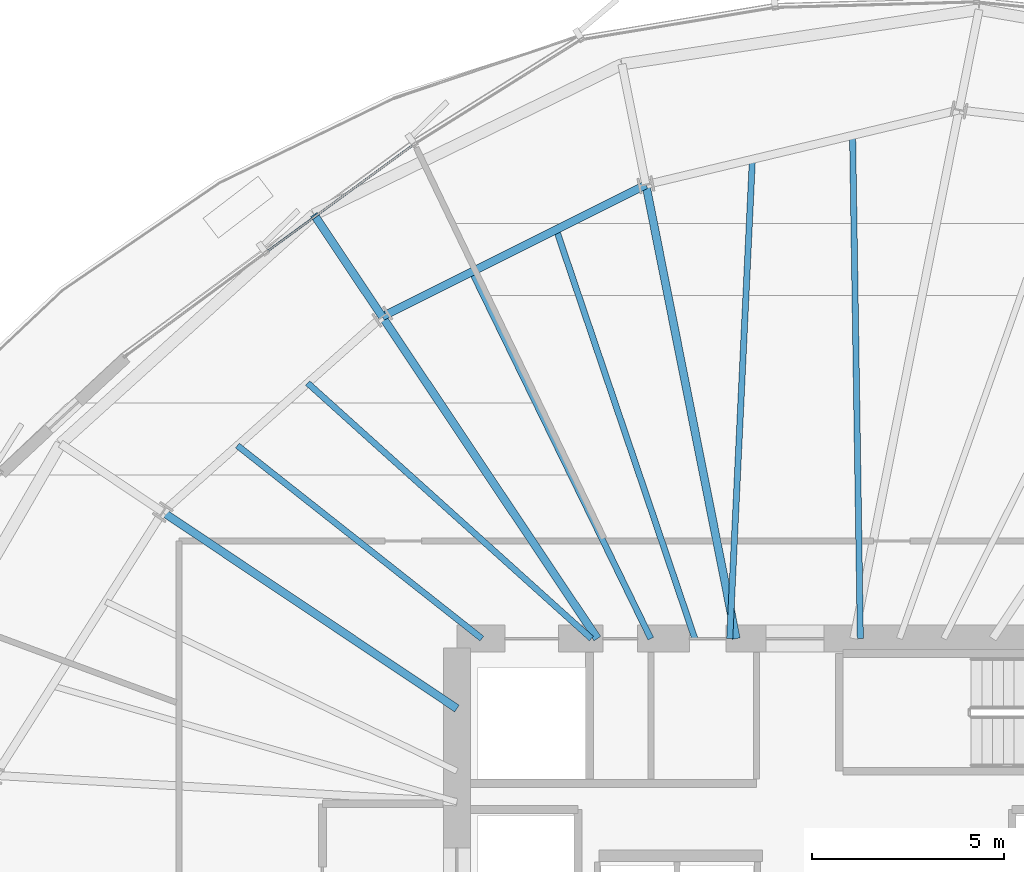
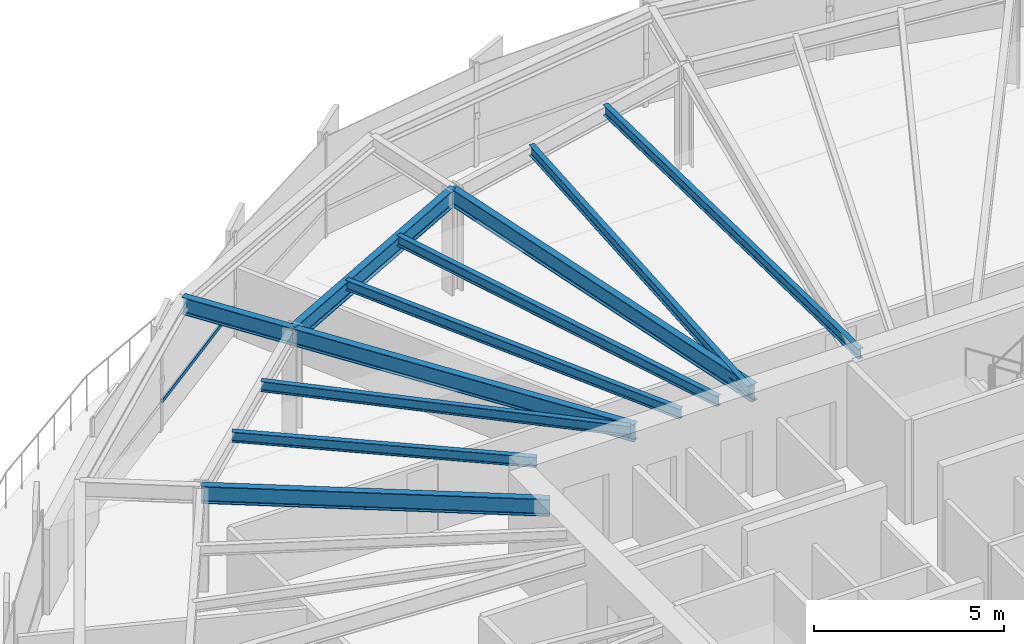
# One storey, part 20 of 35: 11 beams, 1 member, 1 element without a shape of its own.
"""IFC4 building model written with IfcOpenShell, lengths in metres."""

from ifc_helpers import new_model, si_unit, direction, frame, origin, origin_2d, place, context, subcontext, project, spatial, hollow_rectangle, i_section, extrude, source, transform, mapped, material, layer, layer_set, material_profile, profile_set, type_object, element, aggregate, save


model = new_model("IFC4")

# Units and contexts
model_context = context("Model", 3, precision=1e-05, world=origin(), true_north=direction((0.0, 1.0)))
body_context = subcontext(model_context, "Body", "Model", "MODEL_VIEW")
ifc_project = project(units=[si_unit("LENGTHUNIT", "METRE"), si_unit("AREAUNIT", "SQUARE_METRE"), si_unit("VOLUMEUNIT", "CUBIC_METRE"), si_unit("PLANEANGLEUNIT", "RADIAN"), si_unit("MASSUNIT", "GRAM", prefix="KILO"), si_unit("THERMODYNAMICTEMPERATUREUNIT", "KELVIN")], contexts=[model_context])

# Site, building, storey
site_placement = place(None, origin())
site = spatial("IfcSite", under=ifc_project, at=site_placement, CompositionType="ELEMENT")
building_placement = place(site_placement, origin())
building = spatial("IfcBuilding", under=site, at=building_placement, Name="Kethvar Cultural Tower", CompositionType="ELEMENT")
storey_placement = place(building_placement, frame((0.0, 0.0, 89.199951171875)))
storey = spatial("IfcBuildingStorey", under=building, at=storey_placement, Name="L21", CompositionType="ELEMENT", Elevation=89.199951171875)

# Beams
ifc_material_1 = material(Name="Steel S355J2", Category="steel")
ifc_material_profile_1 = material_profile(ifc_material_1, i_section(OverallWidth=0.2099609375, OverallDepth=0.550048828125, WebThickness=0.010986328125, FlangeThickness=0.01708984375, FilletRadius=0.02392578125, at=origin_2d()), Name="Steel S355J2 — IPE550")
ifc_profile_set_1 = profile_set([ifc_material_profile_1], Name="Steel S355J2 — IPE550")
beam_type_1 = type_object("IfcBeamType", Name="BM-IPE550", PredefinedType="BEAM", material=ifc_profile_set_1)
shared_shape_1 = source(origin(), body_context, "Body", "SweptSolid", [
    extrude(i_section(OverallWidth=0.2099609375, OverallDepth=0.550048828125, WebThickness=0.010986328125, FlangeThickness=0.01708984375, FilletRadius=0.02392578125, at=origin_2d()), origin(), (0.0, 0.0, 1.0), 3.2001953125),
])
beam_1_placement = place(storey_placement, frame((36.0576171875, 43.877197265625, 3.072998046875), z_axis=(-0.555544970406, 0.831486491686, 0.0), x_axis=(-0.831486491686, -0.555544970406, 0.0)))
element("IfcBeam", 1, at=beam_1_placement, inside=storey, type_object=beam_type_1, Name="L21 Perimeter Cantilever Beam RC-06", PredefinedType="BEAM", context=body_context, shape_type="MappedRepresentation", body=[
    mapped(shared_shape_1, transform((0.0, 0.0, 0.0), scale=1.0)),
])
shared_shape_2 = source(origin(), body_context, "Body", "SweptSolid", [
    extrude(i_section(OverallWidth=0.2099609375, OverallDepth=0.550048828125, WebThickness=0.010986328125, FlangeThickness=0.01708984375, FilletRadius=0.02392578125, at=origin_2d()), origin(), (0.0, 0.0, 1.0), 12.042724609375),
])
beam_2_placement = place(storey_placement, frame((45.268310546875, 35.5, 3.072998046875), z_axis=(-0.195086784047, 0.980785984142, 0.0), x_axis=(-0.980785984142, -0.195086784047, 0.0)))
element("IfcBeam", 2, at=beam_2_placement, inside=storey, type_object=beam_type_1, Name="L21 Primary Radial Beam RB-05", PredefinedType="BEAM", context=body_context, shape_type="MappedRepresentation", body=[
    mapped(shared_shape_2, transform((0.0, 0.0, 0.0), scale=1.0)),
])
shared_shape_3 = source(origin(), body_context, "Body", "SweptSolid", [
    extrude(i_section(OverallWidth=0.2099609375, OverallDepth=0.550048828125, WebThickness=0.010986328125, FlangeThickness=0.01708984375, FilletRadius=0.02392578125, at=origin_2d()), origin(), (0.0, 0.0, 1.0), 10.0751953125),
])
beam_3_placement = place(storey_placement, frame((41.655029296875, 35.5, 3.072998046875), z_axis=(-0.555566654614, 0.831472003305, 0.0), x_axis=(-0.831472003305, -0.555566654614, 0.0)))
element("IfcBeam", 3, at=beam_3_placement, inside=storey, type_object=beam_type_1, Name="L21 Primary Radial Beam RB-06", PredefinedType="BEAM", context=body_context, shape_type="MappedRepresentation", body=[
    mapped(shared_shape_3, transform((0.0, 0.0, 0.0), scale=1.0)),
])
shared_shape_4 = source(origin(), body_context, "Body", "SweptSolid", [
    extrude(i_section(OverallWidth=0.2099609375, OverallDepth=0.550048828125, WebThickness=0.010986328125, FlangeThickness=0.01708984375, FilletRadius=0.02392578125, at=origin_2d()), origin(), (0.0, 0.0, 1.0), 9.205322265625),
])
beam_4_placement = place(storey_placement, frame((38.0, 33.679931640625, 3.072998046875), z_axis=(-0.831470451236, 0.555568977465, 0.0), x_axis=(-0.555568977465, -0.831470451236, 0.0)))
element("IfcBeam", 4, at=beam_4_placement, inside=storey, type_object=beam_type_1, Name="L21 Primary Radial Beam RB-07", PredefinedType="BEAM", context=body_context, shape_type="MappedRepresentation", body=[
    mapped(shared_shape_4, transform((0.0, 0.0, 0.0), scale=1.0)),
])
ifc_material_profile_2 = material_profile(ifc_material_1, i_section(OverallWidth=0.159912109375, OverallDepth=0.330078125, WebThickness=0.007568359375, FlangeThickness=0.011474609375, FilletRadius=0.01806640625, at=origin_2d()), Name="Steel S355J2 — IPE330")
ifc_profile_set_2 = profile_set([ifc_material_profile_2], Name="Steel S355J2 — IPE330")
beam_type_2 = type_object("IfcBeamType", Name="BM-J330", PredefinedType="JOIST", material=ifc_profile_set_2)
shared_shape_5 = source(origin(), body_context, "Body", "SweptSolid", [
    extrude(i_section(OverallWidth=0.159912109375, OverallDepth=0.330078125, WebThickness=0.007568359375, FlangeThickness=0.011474609375, FilletRadius=0.01806640625, at=origin_2d()), origin(), (0.0, 0.0, 1.0), 13.098388671875),
])
beam_5_placement = place(storey_placement, frame((48.5, 35.5, 3.18310546875), z_axis=(-0.015451599057, 0.999880616917, 0.0), x_axis=(-0.999880616917, -0.015451599057, 0.0)))
element("IfcBeam", 5, at=beam_5_placement, inside=storey, type_object=beam_type_2, Name="L21 Composite Floor Joist J-04A", PredefinedType="JOIST", context=body_context, shape_type="MappedRepresentation", body=[
    mapped(shared_shape_5, transform((0.0, 0.0, 0.0), scale=1.0)),
])
shared_shape_6 = source(origin(), body_context, "Body", "SweptSolid", [
    extrude(i_section(OverallWidth=0.159912109375, OverallDepth=0.330078125, WebThickness=0.007568359375, FlangeThickness=0.011474609375, FilletRadius=0.01806640625, at=origin_2d()), origin(), (0.0, 0.0, 1.0), 12.487548828125),
])
beam_6_placement = place(storey_placement, frame((45.10009765625, 35.5, 3.18310546875), z_axis=(0.047214958818, 0.998884751943, 0.0), x_axis=(-0.998884751943, 0.047214958818, 0.0)))
element("IfcBeam", 6, at=beam_6_placement, inside=storey, type_object=beam_type_2, Name="L21 Composite Floor Joist J-04B", PredefinedType="JOIST", context=body_context, shape_type="MappedRepresentation", body=[
    mapped(shared_shape_6, transform((0.0, 0.0, 0.0), scale=1.0)),
])
shared_shape_7 = source(origin(), body_context, "Body", "SweptSolid", [
    extrude(i_section(OverallWidth=0.2099609375, OverallDepth=0.550048828125, WebThickness=0.010986328125, FlangeThickness=0.01708984375, FilletRadius=0.02392578125, at=origin_2d()), origin(), (0.0, 0.0, 1.0), 7.672607421875),
])
beam_7_placement = place(storey_placement, frame((42.9189453125, 47.311279296875, 3.072998046875), z_axis=(-0.894248932057, -0.447569935892, 0.0), x_axis=(0.447569935892, -0.894248932057, 0.0)))
element("IfcBeam", 7, at=beam_7_placement, inside=storey, type_object=beam_type_1, Name="L21 Column Ring Tie Beam CR-05", PredefinedType="BEAM", context=body_context, shape_type="MappedRepresentation", body=[
    mapped(shared_shape_7, transform((0.0, 0.0, 0.0), scale=1.0)),
])
shared_shape_8 = source(origin(), body_context, "Body", "SweptSolid", [
    extrude(i_section(OverallWidth=0.159912109375, OverallDepth=0.330078125, WebThickness=0.007568359375, FlangeThickness=0.011474609375, FilletRadius=0.01806640625, at=origin_2d()), origin(), (0.0, 0.0, 1.0), 11.23779296875),
])
beam_8_placement = place(storey_placement, frame((44.191650390625, 35.5, 3.18310546875), z_axis=(-0.32083186626, 0.94713616423, 0.0), x_axis=(-0.94713616423, -0.32083186626, 0.0)))
element("IfcBeam", 8, at=beam_8_placement, inside=storey, type_object=beam_type_2, Name="L21 Composite Floor Joist J-05A", PredefinedType="JOIST", context=body_context, shape_type="MappedRepresentation", body=[
    mapped(shared_shape_8, transform((0.0, 0.0, 0.0), scale=1.0)),
])
shared_shape_9 = source(origin(), body_context, "Body", "SweptSolid", [
    extrude(i_section(OverallWidth=0.159912109375, OverallDepth=0.330078125, WebThickness=0.007568359375, FlangeThickness=0.011474609375, FilletRadius=0.01806640625, at=origin_2d()), origin(), (0.0, 0.0, 1.0), 10.619384765625),
])
beam_9_placement = place(storey_placement, frame((43.044921875, 35.5, 3.18310546875), z_axis=(-0.438308125028, 0.898824781331, 0.0), x_axis=(-0.898824781331, -0.438308125028, 0.0)))
element("IfcBeam", 9, at=beam_9_placement, inside=storey, type_object=beam_type_2, Name="L21 Composite Floor Joist J-05B", PredefinedType="JOIST", context=body_context, shape_type="MappedRepresentation", body=[
    mapped(shared_shape_9, transform((0.0, 0.0, 0.0), scale=1.0)),
])
shared_shape_10 = source(origin(), body_context, "Body", "SweptSolid", [
    extrude(i_section(OverallWidth=0.159912109375, OverallDepth=0.330078125, WebThickness=0.007568359375, FlangeThickness=0.011474609375, FilletRadius=0.01806640625, at=origin_2d()), origin(), (0.0, 0.0, 1.0), 9.93701171875),
])
beam_10_placement = place(storey_placement, frame((41.5, 35.5, 3.18310546875), z_axis=(-0.743138974967, 0.669137103952, 0.0), x_axis=(-0.669137103952, -0.743138974967, 0.0)))
element("IfcBeam", 10, at=beam_10_placement, inside=storey, type_object=beam_type_2, Name="L21 Composite Floor Joist J-06A", PredefinedType="JOIST", context=body_context, shape_type="MappedRepresentation", body=[
    mapped(shared_shape_10, transform((0.0, 0.0, 0.0), scale=1.0)),
])
shared_shape_11 = source(origin(), body_context, "Body", "SweptSolid", [
    extrude(i_section(OverallWidth=0.159912109375, OverallDepth=0.330078125, WebThickness=0.007568359375, FlangeThickness=0.011474609375, FilletRadius=0.01806640625, at=origin_2d()), origin(), (0.0, 0.0, 1.0), 8.105712890625),
])
beam_11_placement = place(storey_placement, frame((38.64990234375, 35.5, 3.18310546875), z_axis=(-0.784895872164, 0.619627686486, 0.0), x_axis=(-0.619627686486, -0.784895872164, 0.0)))
element("IfcBeam", 11, at=beam_11_placement, inside=storey, type_object=beam_type_2, Name="L21 Composite Floor Joist J-06B", PredefinedType="JOIST", context=body_context, shape_type="MappedRepresentation", body=[
    mapped(shared_shape_11, transform((0.0, 0.0, 0.0), scale=1.0)),
])

# Curtain wall, member
ifc_material_2 = material(Name="Aluminium 6063-T6", Category="aluminium")
ifc_layer = layer(ifc_material_2, 0.179931640625, Name="Aluminium 6063-T6", Category="aluminium")
ifc_layer_set = layer_set([ifc_layer], Name="Aluminium 6063-T6 (180 mm)")
curtain_wall_type = type_object("IfcCurtainWallType", Name="CW-SYS-03-Z2", PredefinedType="NOTDEFINED", material=ifc_layer_set)
curtain_wall_placement = place(storey_placement, origin())
curtain_wall = element("IfcCurtainWall", 12, at=curtain_wall_placement, inside=storey, type_object=curtain_wall_type, Name="L21 Curtain Wall Run 02", PredefinedType="NOTDEFINED")
ifc_material_profile_3 = material_profile(ifc_material_2, hollow_rectangle(XDim=0.054931640625, YDim=0.1201171875, WallThickness=0.00390625, at=origin_2d()), Name="Aluminium 6063-T6 — RHS120x55x4")
ifc_profile_set_3 = profile_set([ifc_material_profile_3], Name="Aluminium 6063-T6 — RHS120x55x4")
member_type = type_object("IfcMemberType", Name="CW-SYS-03-Z2-TRN", PredefinedType="USERDEFINED", material=ifc_profile_set_3)
shared_shape_12 = source(origin(), body_context, "Body", "SweptSolid", [
    extrude(hollow_rectangle(XDim=0.054931640625, YDim=0.1201171875, WallThickness=0.00390625, at=origin_2d()), origin(), (0.0, 0.0, 1.0), 4.709228515625),
])
member_placement = place(storey_placement, frame((36.86083984375, 48.34716796875, 0.949951171875), z_axis=(-0.807806959868, -0.589447127051, 0.0), x_axis=(0.589447127051, -0.807806959868, 0.0)))
member = element("IfcMember", 13, at=member_placement, type_object=member_type, Name="CW-L21-R02 Transom 5", ObjectType="TRANSOM", PredefinedType="USERDEFINED", context=body_context, shape_type="MappedRepresentation", body=[
    mapped(shared_shape_12, transform((0.0, 0.0, 0.0), scale=1.0)),
])
aggregate(curtain_wall, [member])

save(model, "model.ifc")
